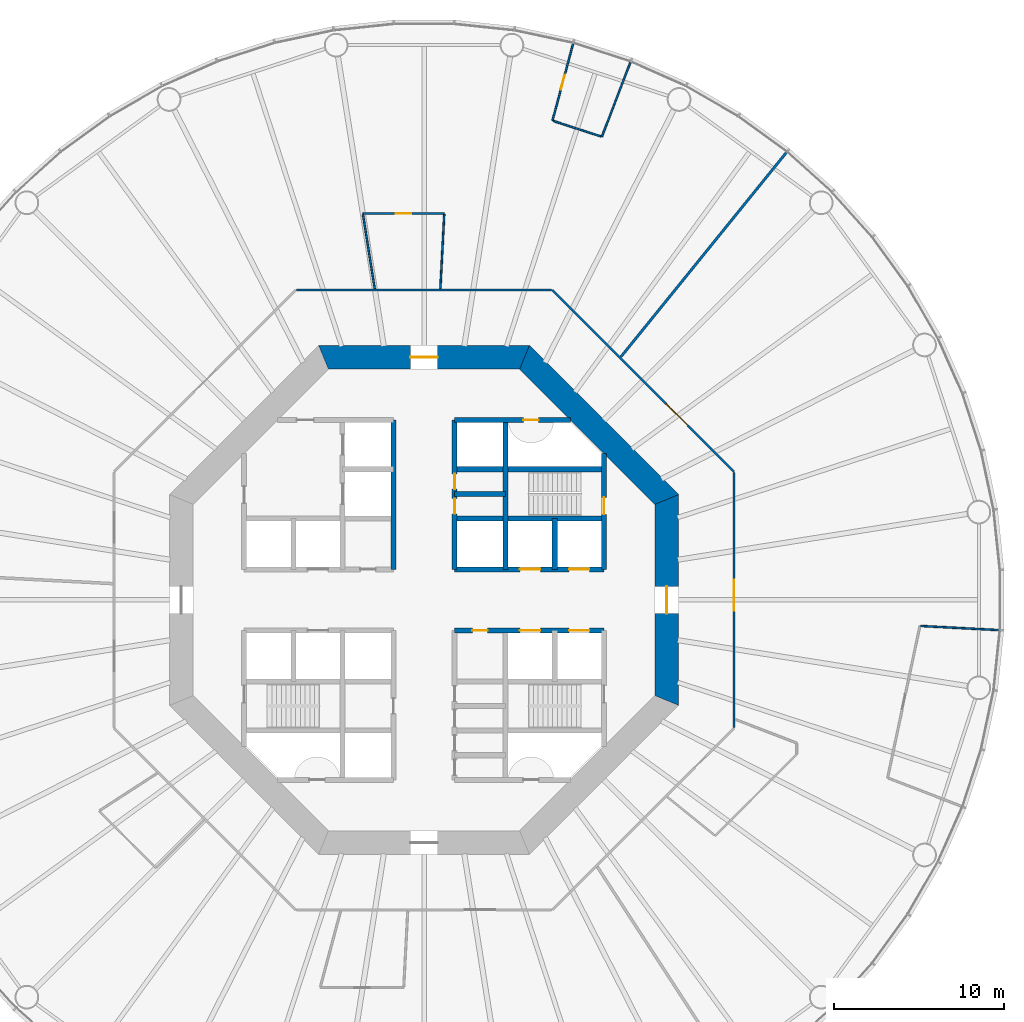
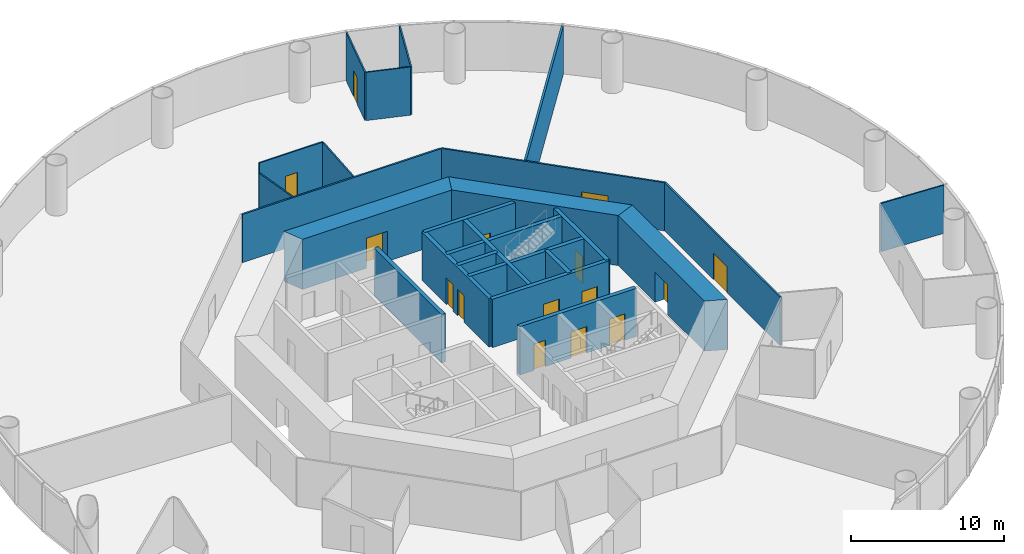
# One storey, part 5 of 13: 25 walls, 15 doors, 15 openings.
"""IFC4 building model written with IfcOpenShell, lengths in metres."""

from ifc_helpers import new_model, si_unit, direction, frame, frame_2d, origin, place, context, subcontext, project, spatial, polyline, rectangle, outline, extrude, material, layer, layer_set, type_object, element, fill, save


model = new_model("IFC4")

# Units and contexts
model_context = context("Model", 3, precision=1e-05, world=origin(), true_north=direction((0.0, 1.0)))
body_context = subcontext(model_context, "Body", "Model", "MODEL_VIEW")
ifc_project = project(units=[si_unit("LENGTHUNIT", "METRE"), si_unit("AREAUNIT", "SQUARE_METRE"), si_unit("VOLUMEUNIT", "CUBIC_METRE"), si_unit("PLANEANGLEUNIT", "RADIAN"), si_unit("MASSUNIT", "GRAM", prefix="KILO")], contexts=[model_context])

# Site, building, storey
site_placement = place(None, origin())
site = spatial("IfcSite", under=ifc_project, at=site_placement, CompositionType="ELEMENT")
building_placement = place(site_placement, origin())
building = spatial("IfcBuilding", under=site, at=building_placement, Name="Entoto Ring Tower", CompositionType="ELEMENT")
storey_placement = place(building_placement, frame((0.0, 0.0, 42.0)))
storey = spatial("IfcBuildingStorey", under=building, at=storey_placement, Name="L08", CompositionType="ELEMENT", Elevation=42.0)

# Wall, opening, door
ifc_material_1 = material(Name="Concrete C40/50", Category="concrete")
ifc_layer_1 = layer(ifc_material_1, 0.300048828125)
ifc_layer_set_1 = layer_set([ifc_layer_1], Name="Concrete C40/50")
wall_type_1 = type_object("IfcWallType", Name="Core enclosure wall 300 mm reinforced concrete", PredefinedType="SOLIDWALL", material=ifc_layer_set_1)
wall_1_placement = place(storey_placement, frame((100.60009765625, 81.800048828125, 0.0), z_axis=(0.0, 0.0, 1.0), x_axis=(0.0, 1.0, 0.0)))
wall_1 = element("IfcWall", 1, at=wall_1_placement, inside=storey, type_object=wall_type_1, Name="wall-L08-002", PredefinedType="SOLIDWALL", context=body_context, shape_type="SweptSolid", body=[
    extrude(rectangle(XDim=6.833251953125, YDim=0.300048828125, at=frame_2d((3.41650390625, 0.0))), origin(), (0.0, 0.0, 1.0), 3.85009765625),
])
opening_1_placement = place(wall_1_placement, frame((3.25, 0.0, 0.0)))
opening_1 = element("IfcOpeningElement", 2, at=opening_1_placement, cuts=wall_1, Name="Opening K-65", PredefinedType="OPENING", context=body_context, shape_type="SweptSolid", body=[
    extrude(rectangle(XDim=1.0, YDim=2.10009765625, at=frame_2d((0.5, 1.050048828125))), frame((0.0, 0.16015625, 0.0), z_axis=(0.0, -1.0, 0.0), x_axis=(1.0, 0.0, 0.0)), (0.0, 0.0, 1.0), 0.320068359375),
])
ifc_material_2 = material(Name="Steel door leaf, fire rated", Category="steel")
ifc_layer_2 = layer(ifc_material_2, 0.050048828125)
ifc_layer_set_2 = layer_set([ifc_layer_2], Name="Steel door leaf, fire rated")
door_type_1 = type_object("IfcDoorType", Name="Fire door FD60 1000 x 2100 single leaf", OperationType="NOTDEFINED", PredefinedType="DOOR", material=ifc_layer_set_2)
door_1_placement = place(opening_1_placement, origin())
door_1 = element("IfcDoor", 3, at=door_1_placement, inside=storey, type_object=door_type_1, Name="Door K-65", OperationType="SINGLE_SWING_RIGHT", OverallHeight=2.10009765625, OverallWidth=1.0, PredefinedType="DOOR", context=body_context, shape_type="SweptSolid", body=[
    extrude(rectangle(XDim=1.0, YDim=2.10009765625, at=frame_2d((0.5, 1.050048828125))), frame((0.0, 0.02490234375, 0.0), z_axis=(0.0, -1.0, 0.0), x_axis=(1.0, 0.0, 0.0)), (0.0, 0.0, 1.0), 0.050048828125),
])
fill(opening_1, door_1)

# Walls
wall_2_placement = place(storey_placement, frame((97.699951171875, 81.800048828125, 0.0), z_axis=(0.0, 0.0, 1.0), x_axis=(0.0, 1.0, 0.0)))
element("IfcWall", 4, at=wall_2_placement, inside=storey, type_object=wall_type_1, Name="wall-L08-004", PredefinedType="SOLIDWALL", context=body_context, shape_type="SweptSolid", body=[
    extrude(rectangle(XDim=3.0, YDim=0.300048828125, at=frame_2d((1.5, 0.0))), origin(), (0.0, 0.0, 1.0), 3.85009765625),
])
wall_3_placement = place(storey_placement, frame((94.800048828125, 81.800048828125, 0.0), z_axis=(0.0, 0.0, 1.0), x_axis=(0.0, 1.0, 0.0)))
element("IfcWall", 5, at=wall_3_placement, inside=storey, type_object=wall_type_1, Name="wall-L08-006", PredefinedType="SOLIDWALL", context=body_context, shape_type="SweptSolid", body=[
    extrude(rectangle(XDim=8.800048828125, YDim=0.300048828125, at=frame_2d((4.39990234375, 0.0))), origin(), (0.0, 0.0, 1.0), 3.85009765625),
])

# Wall, openings, doors
wall_4_placement = place(storey_placement, frame((91.800048828125, 81.800048828125, 0.0), z_axis=(0.0, 0.0, 1.0), x_axis=(0.0, 1.0, 0.0)))
wall_4 = element("IfcWall", 6, at=wall_4_placement, inside=storey, type_object=wall_type_1, Name="wall-L08-008", PredefinedType="SOLIDWALL", context=body_context, shape_type="SweptSolid", body=[
    extrude(rectangle(XDim=8.800048828125, YDim=0.300048828125, at=frame_2d((4.39990234375, 0.0))), origin(), (0.0, 0.0, 1.0), 3.85009765625),
])
opening_2_placement = place(wall_4_placement, frame((3.27490234375, 0.0, 0.0)))
opening_2 = element("IfcOpeningElement", 7, at=opening_2_placement, cuts=wall_4, Name="Opening K-11", PredefinedType="OPENING", context=body_context, shape_type="SweptSolid", body=[
    extrude(rectangle(XDim=0.89990234375, YDim=2.10009765625, at=frame_2d((0.449951171875, 1.050048828125))), frame((0.0, 0.16015625, 0.0), z_axis=(0.0, -1.0, 0.0), x_axis=(1.0, 0.0, 0.0)), (0.0, 0.0, 1.0), 0.320068359375),
])
opening_3_placement = place(wall_4_placement, frame((4.72509765625, 0.0, 0.0)))
opening_3 = element("IfcOpeningElement", 8, at=opening_3_placement, cuts=wall_4, Name="Opening K-12", PredefinedType="OPENING", context=body_context, shape_type="SweptSolid", body=[
    extrude(rectangle(XDim=0.89990234375, YDim=2.10009765625, at=frame_2d((0.449951171875, 1.050048828125))), frame((0.0, 0.16015625, 0.0), z_axis=(0.0, -1.0, 0.0), x_axis=(1.0, 0.0, 0.0)), (0.0, 0.0, 1.0), 0.320068359375),
])
ifc_material_3 = material(Name="Steel door leaf, fire rated", Category="steel")
ifc_layer_3 = layer(ifc_material_3, 0.050048828125)
ifc_layer_set_3 = layer_set([ifc_layer_3], Name="Steel door leaf, fire rated")
door_type_2 = type_object("IfcDoorType", Name="Core door 900 x 2100 single leaf", OperationType="NOTDEFINED", PredefinedType="DOOR", material=ifc_layer_set_3)
door_2_placement = place(opening_2_placement, origin())
door_2 = element("IfcDoor", 9, at=door_2_placement, inside=storey, type_object=door_type_2, Name="Door K-11", OperationType="SINGLE_SWING_RIGHT", OverallHeight=2.10009765625, OverallWidth=0.89990234375, PredefinedType="DOOR", context=body_context, shape_type="SweptSolid", body=[
    extrude(rectangle(XDim=0.89990234375, YDim=2.10009765625, at=frame_2d((0.449951171875, 1.050048828125))), frame((0.0, 0.02490234375, 0.0), z_axis=(0.0, -1.0, 0.0), x_axis=(1.0, 0.0, 0.0)), (0.0, 0.0, 1.0), 0.050048828125),
])
fill(opening_2, door_2)
door_3_placement = place(opening_3_placement, origin())
door_3 = element("IfcDoor", 10, at=door_3_placement, inside=storey, type_object=door_type_2, Name="Door K-12", OperationType="SINGLE_SWING_RIGHT", OverallHeight=2.10009765625, OverallWidth=0.89990234375, PredefinedType="DOOR", context=body_context, shape_type="SweptSolid", body=[
    extrude(rectangle(XDim=0.89990234375, YDim=2.10009765625, at=frame_2d((0.449951171875, 1.050048828125))), frame((0.0, 0.02490234375, 0.0), z_axis=(0.0, -1.0, 0.0), x_axis=(1.0, 0.0, 0.0)), (0.0, 0.0, 1.0), 0.050048828125),
])
fill(opening_3, door_3)

# Wall
wall_5_placement = place(storey_placement, frame((88.199951171875, 81.800048828125, 0.0), z_axis=(0.0, 0.0, 1.0), x_axis=(0.0, 1.0, 0.0)))
element("IfcWall", 11, at=wall_5_placement, inside=storey, type_object=wall_type_1, Name="wall-L08-010", PredefinedType="SOLIDWALL", context=body_context, shape_type="SweptSolid", body=[
    extrude(rectangle(XDim=8.800048828125, YDim=0.300048828125, at=frame_2d((4.39990234375, 0.0))), origin(), (0.0, 0.0, 1.0), 3.85009765625),
])

# Wall, openings, doors
wall_6_placement = place(storey_placement, frame((91.800048828125, 78.199951171875, 0.0), z_axis=(0.0, 0.0, 1.0), x_axis=(1.0, 0.0, 0.0)))
wall_6 = element("IfcWall", 12, at=wall_6_placement, inside=storey, type_object=wall_type_1, Name="wall-L08-026", PredefinedType="SOLIDWALL", context=body_context, shape_type="SweptSolid", body=[
    extrude(rectangle(XDim=8.800048828125, YDim=0.300048828125, at=frame_2d((4.39990234375, 0.0))), origin(), (0.0, 0.0, 1.0), 3.85009765625),
])
opening_4_placement = place(wall_6_placement, frame((3.85009765625, 0.0, 0.0)))
opening_4 = element("IfcOpeningElement", 13, at=opening_4_placement, cuts=wall_6, Name="Opening LD", PredefinedType="OPENING", context=body_context, shape_type="SweptSolid", body=[
    extrude(rectangle(XDim=1.199951171875, YDim=2.10009765625, at=frame_2d((0.60009765625, 1.050048828125))), frame((0.0, 0.16015625, 0.0), z_axis=(0.0, -1.0, 0.0), x_axis=(1.0, 0.0, 0.0)), (0.0, 0.0, 1.0), 0.320068359375),
])
opening_5_placement = place(wall_6_placement, frame((6.75, 0.0, 0.0)))
opening_5 = element("IfcOpeningElement", 14, at=opening_5_placement, cuts=wall_6, Name="Opening LD", PredefinedType="OPENING", context=body_context, shape_type="SweptSolid", body=[
    extrude(rectangle(XDim=1.199951171875, YDim=2.10009765625, at=frame_2d((0.60009765625, 1.050048828125))), frame((0.0, 0.16015625, 0.0), z_axis=(0.0, -1.0, 0.0), x_axis=(1.0, 0.0, 0.0)), (0.0, 0.0, 1.0), 0.320068359375),
])
opening_6_placement = place(wall_6_placement, frame((1.050048828125, 0.0, 0.0)))
opening_6 = element("IfcOpeningElement", 15, at=opening_6_placement, cuts=wall_6, Name="Opening K-19", PredefinedType="OPENING", context=body_context, shape_type="SweptSolid", body=[
    extrude(rectangle(XDim=0.89990234375, YDim=2.10009765625, at=frame_2d((0.449951171875, 1.050048828125))), frame((0.0, 0.16015625, 0.0), z_axis=(0.0, -1.0, 0.0), x_axis=(1.0, 0.0, 0.0)), (0.0, 0.0, 1.0), 0.320068359375),
])
door_4_placement = place(opening_6_placement, frame((0.89990234375, 0.0, 0.0), z_axis=(0.0, 0.0, 1.0), x_axis=(-1.0, 0.0, 0.0)))
door_4 = element("IfcDoor", 16, at=door_4_placement, inside=storey, type_object=door_type_2, Name="Door K-19", OperationType="SINGLE_SWING_RIGHT", OverallHeight=2.10009765625, OverallWidth=0.89990234375, PredefinedType="DOOR", context=body_context, shape_type="SweptSolid", body=[
    extrude(rectangle(XDim=0.89990234375, YDim=2.10009765625, at=frame_2d((0.449951171875, 1.050048828125))), frame((0.0, 0.02490234375, 0.0), z_axis=(0.0, -1.0, 0.0), x_axis=(1.0, 0.0, 0.0)), (0.0, 0.0, 1.0), 0.050048828125),
])
fill(opening_6, door_4)
ifc_material_4 = material(Name="Steel and glass door leaf", Category="steel")
ifc_layer_4 = layer(ifc_material_4, 0.050048828125)
ifc_layer_set_4 = layer_set([ifc_layer_4], Name="Steel and glass door leaf")
door_type_3 = type_object("IfcDoorType", Name="Landing door 1200 x 2100 sliding", OperationType="DOUBLE_DOOR_SLIDING", PredefinedType="DOOR", material=ifc_layer_set_4)
door_5_placement = place(opening_4_placement, origin())
door_5 = element("IfcDoor", 17, at=door_5_placement, inside=storey, type_object=door_type_3, Name="Landing door LB4-LR", OperationType="SLIDING_TO_RIGHT", OverallHeight=2.10009765625, OverallWidth=1.199951171875, PredefinedType="DOOR", context=body_context, shape_type="SweptSolid", body=[
    extrude(rectangle(XDim=1.199951171875, YDim=2.10009765625, at=frame_2d((0.60009765625, 1.050048828125))), frame((0.0, 0.02490234375, 0.0), z_axis=(0.0, -1.0, 0.0), x_axis=(1.0, 0.0, 0.0)), (0.0, 0.0, 1.0), 0.050048828125),
])
fill(opening_4, door_5)
door_6_placement = place(opening_5_placement, origin())
door_6 = element("IfcDoor", 18, at=door_6_placement, inside=storey, type_object=door_type_3, Name="Landing door LB5-LR", OperationType="SLIDING_TO_RIGHT", OverallHeight=2.10009765625, OverallWidth=1.199951171875, PredefinedType="DOOR", context=body_context, shape_type="SweptSolid", body=[
    extrude(rectangle(XDim=1.199951171875, YDim=2.10009765625, at=frame_2d((0.60009765625, 1.050048828125))), frame((0.0, 0.02490234375, 0.0), z_axis=(0.0, -1.0, 0.0), x_axis=(1.0, 0.0, 0.0)), (0.0, 0.0, 1.0), 0.050048828125),
])
fill(opening_5, door_6)

wall_7_placement = place(storey_placement, frame((91.800048828125, 81.800048828125, 0.0), z_axis=(0.0, 0.0, 1.0), x_axis=(1.0, 0.0, 0.0)))
wall_7 = element("IfcWall", 19, at=wall_7_placement, inside=storey, type_object=wall_type_1, Name="wall-L08-028", PredefinedType="SOLIDWALL", context=body_context, shape_type="SweptSolid", body=[
    extrude(rectangle(XDim=8.800048828125, YDim=0.300048828125, at=frame_2d((4.39990234375, 0.0))), origin(), (0.0, 0.0, 1.0), 3.85009765625),
])
opening_7_placement = place(wall_7_placement, frame((3.85009765625, 0.0, 0.0)))
opening_7 = element("IfcOpeningElement", 20, at=opening_7_placement, cuts=wall_7, Name="Opening LD", PredefinedType="OPENING", context=body_context, shape_type="SweptSolid", body=[
    extrude(rectangle(XDim=1.199951171875, YDim=2.10009765625, at=frame_2d((0.60009765625, 1.050048828125))), frame((0.0, 0.16015625, 0.0), z_axis=(0.0, -1.0, 0.0), x_axis=(1.0, 0.0, 0.0)), (0.0, 0.0, 1.0), 0.320068359375),
])
opening_8_placement = place(wall_7_placement, frame((6.75, 0.0, 0.0)))
opening_8 = element("IfcOpeningElement", 21, at=opening_8_placement, cuts=wall_7, Name="Opening LD", PredefinedType="OPENING", context=body_context, shape_type="SweptSolid", body=[
    extrude(rectangle(XDim=1.199951171875, YDim=2.10009765625, at=frame_2d((0.60009765625, 1.050048828125))), frame((0.0, 0.16015625, 0.0), z_axis=(0.0, -1.0, 0.0), x_axis=(1.0, 0.0, 0.0)), (0.0, 0.0, 1.0), 0.320068359375),
])
door_7_placement = place(opening_7_placement, origin())
door_7 = element("IfcDoor", 22, at=door_7_placement, inside=storey, type_object=door_type_3, Name="Landing door LB1-LR", OperationType="SLIDING_TO_RIGHT", OverallHeight=2.10009765625, OverallWidth=1.199951171875, PredefinedType="DOOR", context=body_context, shape_type="SweptSolid", body=[
    extrude(rectangle(XDim=1.199951171875, YDim=2.10009765625, at=frame_2d((0.60009765625, 1.050048828125))), frame((0.0, 0.02490234375, 0.0), z_axis=(0.0, -1.0, 0.0), x_axis=(1.0, 0.0, 0.0)), (0.0, 0.0, 1.0), 0.050048828125),
])
fill(opening_7, door_7)
door_8_placement = place(opening_8_placement, origin())
door_8 = element("IfcDoor", 23, at=door_8_placement, inside=storey, type_object=door_type_3, Name="Landing door LB2-LR", OperationType="SLIDING_TO_RIGHT", OverallHeight=2.10009765625, OverallWidth=1.199951171875, PredefinedType="DOOR", context=body_context, shape_type="SweptSolid", body=[
    extrude(rectangle(XDim=1.199951171875, YDim=2.10009765625, at=frame_2d((0.60009765625, 1.050048828125))), frame((0.0, 0.02490234375, 0.0), z_axis=(0.0, -1.0, 0.0), x_axis=(1.0, 0.0, 0.0)), (0.0, 0.0, 1.0), 0.050048828125),
])
fill(opening_8, door_8)

# Walls
wall_8_placement = place(storey_placement, frame((91.800048828125, 84.800048828125, 0.0), z_axis=(0.0, 0.0, 1.0), x_axis=(1.0, 0.0, 0.0)))
element("IfcWall", 24, at=wall_8_placement, inside=storey, type_object=wall_type_1, Name="wall-L08-030", PredefinedType="SOLIDWALL", context=body_context, shape_type="SweptSolid", body=[
    extrude(rectangle(XDim=8.800048828125, YDim=0.300048828125, at=frame_2d((4.39990234375, 0.0))), origin(), (0.0, 0.0, 1.0), 3.85009765625),
])
wall_9_placement = place(storey_placement, frame((91.800048828125, 86.25, 0.0), z_axis=(0.0, 0.0, 1.0), x_axis=(1.0, 0.0, 0.0)))
element("IfcWall", 25, at=wall_9_placement, inside=storey, type_object=wall_type_1, Name="wall-L08-031", PredefinedType="SOLIDWALL", context=body_context, shape_type="SweptSolid", body=[
    extrude(rectangle(XDim=3.0, YDim=0.300048828125, at=frame_2d((1.5, 0.0))), origin(), (0.0, 0.0, 1.0), 3.85009765625),
])
wall_10_placement = place(storey_placement, frame((91.800048828125, 87.699951171875, 0.0), z_axis=(0.0, 0.0, 1.0), x_axis=(1.0, 0.0, 0.0)))
element("IfcWall", 26, at=wall_10_placement, inside=storey, type_object=wall_type_1, Name="wall-L08-033", PredefinedType="SOLIDWALL", context=body_context, shape_type="SweptSolid", body=[
    extrude(rectangle(XDim=8.800048828125, YDim=0.300048828125, at=frame_2d((4.39990234375, 0.0))), origin(), (0.0, 0.0, 1.0), 3.85009765625),
])

# Wall, opening, door
wall_11_placement = place(storey_placement, frame((91.800048828125, 90.60009765625, 0.0), z_axis=(0.0, 0.0, 1.0), x_axis=(1.0, 0.0, 0.0)))
wall_11 = element("IfcWall", 27, at=wall_11_placement, inside=storey, type_object=wall_type_1, Name="wall-L08-035", PredefinedType="SOLIDWALL", context=body_context, shape_type="SweptSolid", body=[
    extrude(rectangle(XDim=6.833251953125, YDim=0.300048828125, at=frame_2d((3.41650390625, 0.0))), origin(), (0.0, 0.0, 1.0), 3.85009765625),
])
opening_9_placement = place(wall_11_placement, frame((4.050048828125, 0.0, 0.0)))
opening_9 = element("IfcOpeningElement", 28, at=opening_9_placement, cuts=wall_11, Name="Opening K-72", PredefinedType="OPENING", context=body_context, shape_type="SweptSolid", body=[
    extrude(rectangle(XDim=0.89990234375, YDim=2.10009765625, at=frame_2d((0.449951171875, 1.050048828125))), frame((0.0, 0.16015625, 0.0), z_axis=(0.0, -1.0, 0.0), x_axis=(1.0, 0.0, 0.0)), (0.0, 0.0, 1.0), 0.320068359375),
])
ifc_material_5 = material(Name="Steel door leaf, fire rated", Category="steel")
ifc_layer_5 = layer(ifc_material_5, 0.050048828125)
ifc_layer_set_5 = layer_set([ifc_layer_5], Name="Steel door leaf, fire rated")
door_type_4 = type_object("IfcDoorType", Name="Riser door FD60 900 x 2100 single leaf", OperationType="NOTDEFINED", PredefinedType="DOOR", material=ifc_layer_set_5)
door_9_placement = place(opening_9_placement, frame((0.89990234375, 0.0, 0.0), z_axis=(0.0, 0.0, 1.0), x_axis=(-1.0, 0.0, 0.0)))
door_9 = element("IfcDoor", 29, at=door_9_placement, inside=storey, type_object=door_type_4, Name="Door K-72", OperationType="SINGLE_SWING_LEFT", OverallHeight=2.10009765625, OverallWidth=0.89990234375, PredefinedType="DOOR", context=body_context, shape_type="SweptSolid", body=[
    extrude(rectangle(XDim=0.89990234375, YDim=2.10009765625, at=frame_2d((0.449951171875, 1.050048828125))), frame((0.0, 0.02490234375, 0.0), z_axis=(0.0, -1.0, 0.0), x_axis=(1.0, 0.0, 0.0)), (0.0, 0.0, 1.0), 0.050048828125),
])
fill(opening_9, door_9)

ifc_material_6 = material(Name="Concrete C60/75", Category="concrete")
ifc_layer_6 = layer(ifc_material_6, 1.39990234375)
ifc_layer_set_6 = layer_set([ifc_layer_6], Name="Concrete C60/75")
wall_type_2 = type_object("IfcWallType", Name="Core shear wall 1400 mm reinforced concrete C60/75", PredefinedType="SHEAR", material=ifc_layer_set_6)
wall_12_placement = place(storey_placement, frame((104.300048828125, 74.07666015625, 0.0), z_axis=(0.0, 0.0, 1.0), x_axis=(0.0, 1.0, 0.0)))
wall_12 = element("IfcWall", 30, at=wall_12_placement, inside=storey, type_object=wall_type_2, Name="wall-L08-core-0", PredefinedType="SHEAR", context=body_context, shape_type="SweptSolid", body=[
    extrude(outline(polyline([(-0.2900390625, -0.699951171875), (12.13671875, -0.699951171875), (11.556640625, 0.699951171875), (0.2900390625, 0.699951171875), (-0.2900390625, -0.699951171875)])), origin(), (0.0, 0.0, 1.0), 4.0),
])
opening_10_placement = place(wall_12_placement, frame((5.123291015625, 0.0, 0.0)))
opening_10 = element("IfcOpeningElement", 31, at=opening_10_placement, cuts=wall_12, Name="Opening K-01", PredefinedType="OPENING", context=body_context, shape_type="SweptSolid", body=[
    extrude(rectangle(XDim=1.60009765625, YDim=2.39990234375, at=frame_2d((0.800048828125, 1.199951171875))), frame((0.0, 0.7099609375, 0.0), z_axis=(0.0, -1.0, 0.0), x_axis=(1.0, 0.0, 0.0)), (0.0, 0.0, 1.0), 1.419921875),
])
ifc_material_7 = material(Name="Steel door leaf, fire rated", Category="steel")
ifc_layer_7 = layer(ifc_material_7, 0.050048828125)
ifc_layer_set_7 = layer_set([ifc_layer_7], Name="Steel door leaf, fire rated")
door_type_5 = type_object("IfcDoorType", Name="Entrance door FD60 1600 x 2400 double leaf", OperationType="DOUBLE_DOOR_SINGLE_SWING", PredefinedType="DOOR", material=ifc_layer_set_7)
door_10_placement = place(opening_10_placement, origin())
door_10 = element("IfcDoor", 32, at=door_10_placement, inside=storey, type_object=door_type_5, Name="Entrance door K-01", OperationType="DOUBLE_DOOR_SINGLE_SWING", OverallHeight=2.39990234375, OverallWidth=1.60009765625, PredefinedType="DOOR", context=body_context, shape_type="SweptSolid", body=[
    extrude(rectangle(XDim=1.60009765625, YDim=2.39990234375, at=frame_2d((0.800048828125, 1.199951171875))), frame((0.0, 0.02490234375, 0.0), z_axis=(0.0, -1.0, 0.0), x_axis=(1.0, 0.0, 0.0)), (0.0, 0.0, 1.0), 0.050048828125),
])
fill(opening_10, door_10)

# Wall
wall_13_placement = place(storey_placement, frame((104.300048828125, 85.92333984375, 0.0), z_axis=(0.0, 0.0, 1.0), x_axis=(-0.707106781187, 0.707106781187, 0.0)))
element("IfcWall", 33, at=wall_13_placement, inside=storey, type_object=wall_type_2, Name="wall-L08-core-1", PredefinedType="SHEAR", context=body_context, shape_type="SweptSolid", body=[
    extrude(outline(polyline([(-0.2900390625, -0.699951171875), (12.136474609375, -0.699951171875), (11.556396484375, 0.699951171875), (0.2900390625, 0.699951171875), (-0.2900390625, -0.699951171875)])), origin(), (0.0, 0.0, 1.0), 4.0),
])

# Wall, opening, door
wall_14_placement = place(storey_placement, frame((95.92333984375, 94.300048828125, 0.0), z_axis=(0.0, 0.0, 1.0), x_axis=(-1.0, 0.0, 0.0)))
wall_14 = element("IfcWall", 34, at=wall_14_placement, inside=storey, type_object=wall_type_2, Name="wall-L08-core-2", PredefinedType="SHEAR", context=body_context, shape_type="SweptSolid", body=[
    extrude(outline(polyline([(-0.2900390625, -0.699951171875), (12.13671875, -0.699951171875), (11.556640625, 0.699951171875), (0.2900390625, 0.699951171875), (-0.2900390625, -0.699951171875)])), origin(), (0.0, 0.0, 1.0), 4.0),
])
opening_11_placement = place(wall_14_placement, frame((5.123291015625, 0.0, 0.0)))
opening_11 = element("IfcOpeningElement", 35, at=opening_11_placement, cuts=wall_14, Name="Opening K-02", PredefinedType="OPENING", context=body_context, shape_type="SweptSolid", body=[
    extrude(rectangle(XDim=1.60009765625, YDim=2.39990234375, at=frame_2d((0.800048828125, 1.199951171875))), frame((0.0, 0.7099609375, 0.0), z_axis=(0.0, -1.0, 0.0), x_axis=(1.0, 0.0, 0.0)), (0.0, 0.0, 1.0), 1.419921875),
])
door_11_placement = place(opening_11_placement, origin())
door_11 = element("IfcDoor", 36, at=door_11_placement, inside=storey, type_object=door_type_5, Name="Entrance door K-02", OperationType="DOUBLE_DOOR_SINGLE_SWING", OverallHeight=2.39990234375, OverallWidth=1.60009765625, PredefinedType="DOOR", context=body_context, shape_type="SweptSolid", body=[
    extrude(rectangle(XDim=1.60009765625, YDim=2.39990234375, at=frame_2d((0.800048828125, 1.199951171875))), frame((0.0, 0.02490234375, 0.0), z_axis=(0.0, -1.0, 0.0), x_axis=(1.0, 0.0, 0.0)), (0.0, 0.0, 1.0), 0.050048828125),
])
fill(opening_11, door_11)

ifc_material_8 = material(Name="Fire-resisting plasterboard on steel studs", Category="steel")
ifc_layer_8 = layer(ifc_material_8, 0.125)
ifc_layer_set_8 = layer_set([ifc_layer_8], Name="Fire-resisting plasterboard on steel studs")
wall_type_3 = type_object("IfcWallType", Name="Corridor wall 125 mm one-hour plasterboard on steel studs", PredefinedType="PARTITIONING", material=ifc_layer_set_8)
wall_15_placement = place(storey_placement, frame((108.262451171875, 87.564697265625, 0.0), z_axis=(0.0, 0.0, 1.0), x_axis=(-0.707106781187, 0.707106781187, 0.0)))
wall_15 = element("IfcWall", 37, at=wall_15_placement, inside=storey, type_object=wall_type_3, Name="partition-L08-004", PredefinedType="PARTITIONING", context=body_context, shape_type="SweptSolid", body=[
    extrude(rectangle(XDim=15.12890625, YDim=0.125, at=frame_2d((7.564453125, 0.0))), origin(), (0.0, 0.0, 1.0), 3.85009765625),
])
opening_12_placement = place(wall_15_placement, frame((3.842041015625, 0.0, 0.0)))
opening_12 = element("IfcOpeningElement", 38, at=opening_12_placement, cuts=wall_15, Name="Opening A04-D07", PredefinedType="OPENING", context=body_context, shape_type="SweptSolid", body=[
    extrude(rectangle(XDim=1.800048828125, YDim=2.10009765625, at=frame_2d((0.89990234375, 1.050048828125))), frame((0.0, 0.072509765625, 0.0), z_axis=(0.0, -1.0, 0.0), x_axis=(1.0, 0.0, 0.0)), (0.0, 0.0, 1.0), 0.14501953125),
])
ifc_material_9 = material(Name="Fire-resisting timber door set", Category="wood")
door_type_6 = type_object("IfcDoorType", Name="Door 1800 x 2100 double leaf FD30S fire door", OperationType="DOUBLE_DOOR_SINGLE_SWING", PredefinedType="DOOR", material=ifc_material_9)
door_12_placement = place(opening_12_placement, origin())
door_12 = element("IfcDoor", 39, at=door_12_placement, inside=storey, type_object=door_type_6, Name="Door A04-D07", OperationType="DOUBLE_DOOR_SINGLE_SWING", OverallHeight=2.10009765625, OverallWidth=1.800048828125, PredefinedType="DOOR", context=body_context, shape_type="SweptSolid", body=[
    extrude(rectangle(XDim=1.800048828125, YDim=2.10009765625, at=frame_2d((0.89990234375, 1.050048828125))), frame((0.0, 0.02490234375, 0.0), z_axis=(0.0, -1.0, 0.0), x_axis=(1.0, 0.0, 0.0)), (0.0, 0.0, 1.0), 0.050048828125),
])
fill(opening_12, door_12)

# Wall
wall_16_placement = place(storey_placement, frame((82.4794921875, 98.262451171875, 0.0), z_axis=(0.0, 0.0, 1.0), x_axis=(1.0, 0.0, 0.0)))
element("IfcWall", 40, at=wall_16_placement, inside=storey, type_object=wall_type_3, Name="partition-L08-007", PredefinedType="PARTITIONING", context=body_context, shape_type="SweptSolid", body=[
    extrude(rectangle(XDim=15.041015625, YDim=0.125, at=frame_2d((7.5205078125, 0.0))), origin(), (0.0, 0.0, 1.0), 3.85009765625),
])

# Wall, opening, door
wall_17_placement = place(storey_placement, frame((108.262451171875, 72.4794921875, 0.0), z_axis=(0.0, 0.0, 1.0), x_axis=(0.0, 1.0, 0.0)))
wall_17 = element("IfcWall", 41, at=wall_17_placement, inside=storey, type_object=wall_type_3, Name="partition-L08-008", PredefinedType="PARTITIONING", context=body_context, shape_type="SweptSolid", body=[
    extrude(rectangle(XDim=15.041015625, YDim=0.125, at=frame_2d((7.5205078125, 0.0))), origin(), (0.0, 0.0, 1.0), 3.85009765625),
])
opening_13_placement = place(wall_17_placement, frame((6.897705078125, 0.0, 0.0)))
opening_13 = element("IfcOpeningElement", 42, at=opening_13_placement, cuts=wall_17, Name="Opening A04-D06", PredefinedType="OPENING", context=body_context, shape_type="SweptSolid", body=[
    extrude(rectangle(XDim=1.800048828125, YDim=2.10009765625, at=frame_2d((0.89990234375, 1.050048828125))), frame((0.0, 0.072509765625, 0.0), z_axis=(0.0, -1.0, 0.0), x_axis=(1.0, 0.0, 0.0)), (0.0, 0.0, 1.0), 0.14501953125),
])
door_13_placement = place(opening_13_placement, origin())
door_13 = element("IfcDoor", 43, at=door_13_placement, inside=storey, type_object=door_type_6, Name="Door A04-D06", OperationType="DOUBLE_DOOR_SINGLE_SWING", OverallHeight=2.10009765625, OverallWidth=1.800048828125, PredefinedType="DOOR", context=body_context, shape_type="SweptSolid", body=[
    extrude(rectangle(XDim=1.800048828125, YDim=2.10009765625, at=frame_2d((0.89990234375, 1.050048828125))), frame((0.0, 0.02490234375, 0.0), z_axis=(0.0, -1.0, 0.0), x_axis=(1.0, 0.0, 0.0)), (0.0, 0.0, 1.0), 0.050048828125),
])
fill(opening_13, door_13)

ifc_material_10 = material(Name="Plasterboard on steel studs", Category="steel")
ifc_layer_9 = layer(ifc_material_10, 0.10009765625)
ifc_layer_set_9 = layer_set([ifc_layer_9], Name="Plasterboard on steel studs")
wall_type_4 = type_object("IfcWallType", Name="Partition 100 mm plasterboard on steel studs", PredefinedType="PARTITIONING", material=ifc_layer_set_9)
wall_18_placement = place(storey_placement, frame((86.393310546875, 102.7724609375, 0.0), z_axis=(0.0, 0.0, 1.0), x_axis=(1.0, 0.0, 0.0)))
wall_18 = element("IfcWall", 44, at=wall_18_placement, inside=storey, type_object=wall_type_4, Name="partition-L08-017", PredefinedType="PARTITIONING", context=body_context, shape_type="SweptSolid", body=[
    extrude(rectangle(XDim=4.80029296875, YDim=0.10009765625, at=frame_2d((2.400146484375, 0.0))), origin(), (0.0, 0.0, 1.0), 3.85009765625),
])
opening_14_placement = place(wall_18_placement, frame((1.9501953125, 0.0, 0.0)))
opening_14 = element("IfcOpeningElement", 45, at=opening_14_placement, cuts=wall_18, Name="Opening A04-D13", PredefinedType="OPENING", context=body_context, shape_type="SweptSolid", body=[
    extrude(rectangle(XDim=0.89990234375, YDim=2.10009765625, at=frame_2d((0.449951171875, 1.050048828125))), frame((0.0, 0.06005859375, 0.0), z_axis=(0.0, -1.0, 0.0), x_axis=(1.0, 0.0, 0.0)), (0.0, 0.0, 1.0), 0.1201171875),
])
ifc_material_11 = material(Name="Veneered timber door leaf in timber frame", Category="wood")
door_type_7 = type_object("IfcDoorType", Name="Door 900 x 2100 single leaf timber veneer", OperationType="NOTDEFINED", PredefinedType="DOOR", material=ifc_material_11)
door_14_placement = place(opening_14_placement, frame((0.89990234375, 0.0, 0.0), z_axis=(0.0, 0.0, 1.0), x_axis=(-1.0, 0.0, 0.0)))
door_14 = element("IfcDoor", 46, at=door_14_placement, inside=storey, type_object=door_type_7, Name="Door A04-D13", OperationType="SINGLE_SWING_RIGHT", OverallHeight=2.10009765625, OverallWidth=0.89990234375, PredefinedType="DOOR", context=body_context, shape_type="SweptSolid", body=[
    extrude(rectangle(XDim=0.89990234375, YDim=2.10009765625, at=frame_2d((0.449951171875, 1.050048828125))), frame((0.0, 0.02490234375, 0.0), z_axis=(0.0, -1.0, 0.0), x_axis=(1.0, 0.0, 0.0)), (0.0, 0.0, 1.0), 0.050048828125),
])
fill(opening_14, door_14)

wall_19_placement = place(storey_placement, frame((97.56787109375, 108.24365234375, 0.0), z_axis=(0.0, 0.0, 1.0), x_axis=(0.258794073665, 0.96593251702, 0.0)))
wall_19 = element("IfcWall", 47, at=wall_19_placement, inside=storey, type_object=wall_type_4, Name="partition-L08-020", PredefinedType="PARTITIONING", context=body_context, shape_type="SweptSolid", body=[
    extrude(rectangle(XDim=4.699951171875, YDim=0.10009765625, at=frame_2d((2.35009765625, 0.0))), origin(), (0.0, 0.0, 1.0), 3.85009765625),
])
opening_15_placement = place(wall_19_placement, frame((1.89990234375, 0.0, 0.0)))
opening_15 = element("IfcOpeningElement", 48, at=opening_15_placement, cuts=wall_19, Name="Opening A04-D14", PredefinedType="OPENING", context=body_context, shape_type="SweptSolid", body=[
    extrude(rectangle(XDim=0.89990234375, YDim=2.10009765625, at=frame_2d((0.449951171875, 1.050048828125))), frame((0.0, 0.06005859375, 0.0), z_axis=(0.0, -1.0, 0.0), x_axis=(1.0, 0.0, 0.0)), (0.0, 0.0, 1.0), 0.1201171875),
])
door_15_placement = place(opening_15_placement, frame((0.89990234375, 0.0, 0.0), z_axis=(0.0, 0.0, 1.0), x_axis=(-1.0, 0.0, 0.0)))
door_15 = element("IfcDoor", 49, at=door_15_placement, inside=storey, type_object=door_type_7, Name="Door A04-D14", OperationType="SINGLE_SWING_LEFT", OverallHeight=2.10009765625, OverallWidth=0.89990234375, PredefinedType="DOOR", context=body_context, shape_type="SweptSolid", body=[
    extrude(rectangle(XDim=0.89990234375, YDim=2.10009765625, at=frame_2d((0.449951171875, 1.050048828125))), frame((0.0, 0.02490234375, 0.0), z_axis=(0.0, -1.0, 0.0), x_axis=(1.0, 0.0, 0.0)), (0.0, 0.0, 1.0), 0.050048828125),
])
fill(opening_15, door_15)

# Walls
wall_20_placement = place(storey_placement, frame((100.478759765625, 107.2978515625, 0.0), z_axis=(0.0, 0.0, 1.0), x_axis=(0.358359424609, 0.933583698869, 0.0)))
element("IfcWall", 50, at=wall_20_placement, inside=storey, type_object=wall_type_4, Name="partition-L08-021", PredefinedType="PARTITIONING", context=body_context, shape_type="SweptSolid", body=[
    extrude(rectangle(XDim=4.7001953125, YDim=0.10009765625, at=frame_2d((2.35009765625, 0.0))), origin(), (0.0, 0.0, 1.0), 3.85009765625),
])
wall_21_placement = place(storey_placement, frame((123.8935546875, 78.2236328125, 0.0), z_axis=(0.0, 0.0, 1.0), x_axis=(-0.998628730491, 0.052351300252, 0.0)))
element("IfcWall", 51, at=wall_21_placement, inside=storey, type_object=wall_type_4, Name="partition-L08-023", PredefinedType="PARTITIONING", context=body_context, shape_type="SweptSolid", body=[
    extrude(rectangle(XDim=4.630859375, YDim=0.10009765625, at=frame_2d((2.3154296875, 0.0))), origin(), (0.0, 0.0, 1.0), 3.85009765625),
])
wall_22_placement = place(storey_placement, frame((90.96044921875, 98.32763671875, 0.0), z_axis=(0.0, 0.0, 1.0), x_axis=(0.05234324335, 0.998629152827, 0.0)))
element("IfcWall", 52, at=wall_22_placement, inside=storey, type_object=wall_type_4, Name="partition-L08-026", PredefinedType="PARTITIONING", context=body_context, shape_type="SweptSolid", body=[
    extrude(rectangle(XDim=4.3984375, YDim=0.10009765625, at=frame_2d((2.19921875, 0.0))), origin(), (0.0, 0.0, 1.0), 3.85009765625),
])
wall_23_placement = place(storey_placement, frame((100.43115234375, 107.313232421875, 0.0), z_axis=(0.0, 0.0, 1.0), x_axis=(-0.951039522572, 0.309069290783, 0.0)))
element("IfcWall", 53, at=wall_23_placement, inside=storey, type_object=wall_type_4, Name="partition-L08-031", PredefinedType="PARTITIONING", context=body_context, shape_type="SweptSolid", body=[
    extrude(rectangle(XDim=2.960693359375, YDim=0.10009765625, at=frame_2d((1.48046875, 0.0))), origin(), (0.0, 0.0, 1.0), 3.85009765625),
])
ifc_material_12 = material(Name="Plasterboard on steel studs", Category="steel")
ifc_layer_10 = layer(ifc_material_12, 0.10009765625)
ifc_layer_set_10 = layer_set([ifc_layer_10], Name="Plasterboard on steel studs")
wall_type_5 = type_object("IfcWallType", Name="Partition 100 mm plasterboard on steel studs, 3050 mm high", PredefinedType="PARTITIONING", material=ifc_layer_set_10)
wall_24_placement = place(storey_placement, frame((87.096435546875, 98.332763671875, 0.0), z_axis=(0.0, 0.0, 1.0), x_axis=(-0.156442929455, 0.987686999926, 0.0)))
element("IfcWall", 54, at=wall_24_placement, inside=storey, type_object=wall_type_5, Name="partition-L08-025", PredefinedType="PARTITIONING", context=body_context, shape_type="SweptSolid", body=[
    extrude(rectangle(XDim=4.436767578125, YDim=0.10009765625, at=frame_2d((2.21826171875, 0.0))), origin(), (0.0, 0.0, 1.0), 3.050048828125),
])
ifc_material_13 = material(Name="Fire-resisting acoustic plasterboard on steel studs", Category="steel")
ifc_layer_11 = layer(ifc_material_13, 0.14990234375)
ifc_layer_set_11 = layer_set([ifc_layer_11], Name="Fire-resisting acoustic plasterboard on steel studs")
wall_type_6 = type_object("IfcWallType", Name="Party wall 150 mm one-hour acoustic plasterboard on steel studs", PredefinedType="PARTITIONING", material=ifc_layer_set_11)
wall_25_placement = place(storey_placement, frame((101.600830078125, 94.32568359375, 0.0), z_axis=(0.0, 0.0, 1.0), x_axis=(0.62931915396, 0.777146963231, 0.0)))
element("IfcWall", 55, at=wall_25_placement, inside=storey, type_object=wall_type_6, Name="partition-L08-010", PredefinedType="PARTITIONING", context=body_context, shape_type="SweptSolid", body=[
    extrude(rectangle(XDim=15.506103515625, YDim=0.14990234375, at=frame_2d((7.7529296875, 0.0))), origin(), (0.0, 0.0, 1.0), 3.85009765625),
])

save(model, "model.ifc")
